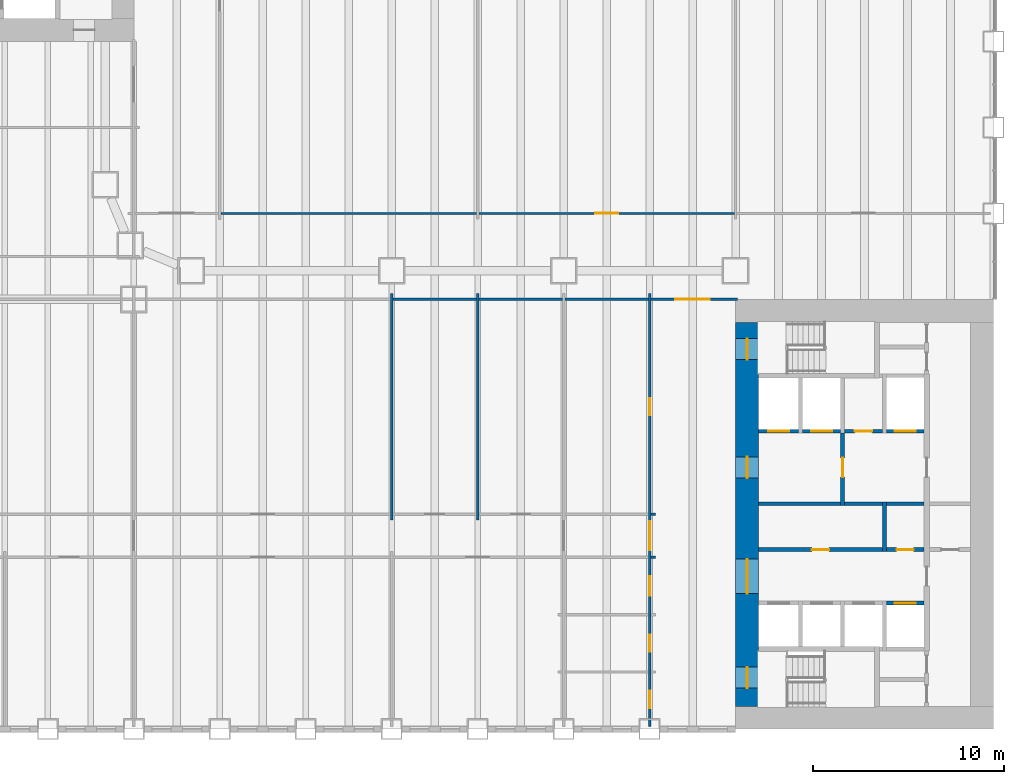
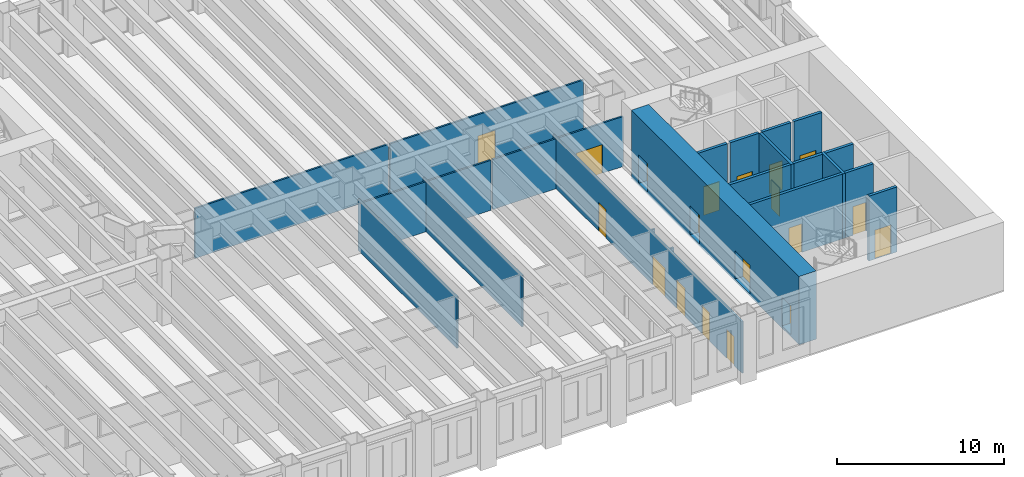
# One storey, part 12 of 19: 24 walls, 19 doors, 19 openings.
"""IFC4 building model written with IfcOpenShell, lengths in metres."""

from ifc_helpers import new_model, si_unit, direction, frame, frame_2d, origin, place, context, subcontext, project, spatial, rectangle, extrude, material, layer, layer_set, type_object, element, fill, save


model = new_model("IFC4")

# Units and contexts
model_context = context("Model", 3, precision=1e-05, world=origin(), true_north=direction((0.0, 1.0)))
body_context = subcontext(model_context, "Body", "Model", "MODEL_VIEW")
ifc_project = project(units=[si_unit("LENGTHUNIT", "METRE"), si_unit("AREAUNIT", "SQUARE_METRE"), si_unit("VOLUMEUNIT", "CUBIC_METRE"), si_unit("PLANEANGLEUNIT", "RADIAN"), si_unit("MASSUNIT", "GRAM", prefix="KILO")], contexts=[model_context])

# Site, building, storey
site_placement = place(None, origin())
site = spatial("IfcSite", under=ifc_project, at=site_placement, CompositionType="ELEMENT")
building_placement = place(site_placement, origin())
building = spatial("IfcBuilding", under=site, at=building_placement, Name="Sennacour Bend Tower", CompositionType="ELEMENT")
storey_placement = place(building_placement, frame((0.0, 0.0, 19.0)))
storey = spatial("IfcBuildingStorey", under=building, at=storey_placement, Name="L03", CompositionType="ELEMENT", Elevation=19.0)

# Wall, openings, doors
ifc_material_1 = material(Name="Concrete C80/95", Category="concrete")
ifc_layer_1 = layer(ifc_material_1, 1.199951171875, Name="Concrete C80/95", Category="concrete")
ifc_layer_set_1 = layer_set([ifc_layer_1], Name="Concrete C80/95")
wall_type_1 = type_object("IfcWallType", Name="Core wall 1200 C80/95", PredefinedType="SHEAR", material=ifc_layer_set_1)
wall_1_placement = place(storey_placement, frame((54.60009765625, 1.199951171875, -0.14990234375), z_axis=(0.0, 0.0, 1.0), x_axis=(0.0, 1.0, 0.0)))
wall_1 = element("IfcWall", 1, at=wall_1_placement, inside=storey, type_object=wall_type_1, Name="Core A wall L03 W", PredefinedType="SHEAR", context=body_context, shape_type="SweptSolid", body=[
    extrude(rectangle(XDim=20.10009765625, YDim=1.199951171875, at=frame_2d((10.050048828125, 0.0))), origin(), (0.0, 0.0, 1.0), 5.0),
])
opening_1_placement = place(wall_1_placement, frame((5.89990234375, 0.0, 0.14990234375)))
opening_1 = element("IfcOpeningElement", 2, at=opening_1_placement, cuts=wall_1, Name="Opening CD", PredefinedType="OPENING", context=body_context, shape_type="SweptSolid", body=[
    extrude(rectangle(XDim=1.800048828125, YDim=2.10009765625, at=frame_2d((0.89990234375, 1.050048828125))), frame((0.0, 0.60986328125, 0.0), z_axis=(0.0, -1.0, 0.0), x_axis=(1.0, 0.0, 0.0)), (0.0, 0.0, 1.0), 1.219970703125),
])
opening_2_placement = place(wall_1_placement, frame((11.949951171875, 0.0, 0.14990234375)))
opening_2 = element("IfcOpeningElement", 3, at=opening_2_placement, cuts=wall_1, Name="Opening FD", PredefinedType="OPENING", context=body_context, shape_type="SweptSolid", body=[
    extrude(rectangle(XDim=1.10009765625, YDim=2.10009765625, at=frame_2d((0.550048828125, 1.050048828125))), frame((0.0, 0.60986328125, 0.0), z_axis=(0.0, -1.0, 0.0), x_axis=(1.0, 0.0, 0.0)), (0.0, 0.0, 1.0), 1.219970703125),
])
opening_3_placement = place(wall_1_placement, frame((0.949951171875, 0.0, 0.14990234375)))
opening_3 = element("IfcOpeningElement", 4, at=opening_3_placement, cuts=wall_1, Name="Opening SD", PredefinedType="OPENING", context=body_context, shape_type="SweptSolid", body=[
    extrude(rectangle(XDim=1.10009765625, YDim=2.10009765625, at=frame_2d((0.550048828125, 1.050048828125))), frame((0.0, 0.60986328125, 0.0), z_axis=(0.0, -1.0, 0.0), x_axis=(1.0, 0.0, 0.0)), (0.0, 0.0, 1.0), 1.219970703125),
])
opening_4_placement = place(wall_1_placement, frame((18.14990234375, 0.0, 0.14990234375)))
opening_4 = element("IfcOpeningElement", 5, at=opening_4_placement, cuts=wall_1, Name="Opening SD", PredefinedType="OPENING", context=body_context, shape_type="SweptSolid", body=[
    extrude(rectangle(XDim=1.10009765625, YDim=2.10009765625, at=frame_2d((0.550048828125, 1.050048828125))), frame((0.0, 0.60986328125, 0.0), z_axis=(0.0, -1.0, 0.0), x_axis=(1.0, 0.0, 0.0)), (0.0, 0.0, 1.0), 1.219970703125),
])
ifc_material_2 = material(Name="Painted steel", Category="steel")
door_type_1 = type_object("IfcDoorType", Name="DR-FFL-1100", OperationType="NOTDEFINED", PredefinedType="DOOR", material=ifc_material_2)
door_1_placement = place(opening_2_placement, origin())
door_1 = element("IfcDoor", 6, at=door_1_placement, inside=storey, type_object=door_type_1, Name="Door", OperationType="SINGLE_SWING_RIGHT", OverallHeight=2.10009765625, OverallWidth=1.10009765625, PredefinedType="DOOR", context=body_context, shape_type="SweptSolid", body=[
    extrude(rectangle(XDim=1.10009765625, YDim=2.10009765625, at=frame_2d((0.550048828125, 1.050048828125))), frame((0.0, 0.02490234375, 0.0), z_axis=(0.0, -1.0, 0.0), x_axis=(1.0, 0.0, 0.0)), (0.0, 0.0, 1.0), 0.050048828125),
])
fill(opening_2, door_1)
door_type_2 = type_object("IfcDoorType", Name="DR-LOBBY-1800", OperationType="NOTDEFINED", PredefinedType="DOOR", material=ifc_material_2)
door_2_placement = place(opening_1_placement, origin())
door_2 = element("IfcDoor", 7, at=door_2_placement, inside=storey, type_object=door_type_2, Name="Door", OperationType="DOUBLE_DOOR_SINGLE_SWING", OverallHeight=2.10009765625, OverallWidth=1.800048828125, PredefinedType="DOOR", context=body_context, shape_type="SweptSolid", body=[
    extrude(rectangle(XDim=1.800048828125, YDim=2.10009765625, at=frame_2d((0.89990234375, 1.050048828125))), frame((0.0, 0.02490234375, 0.0), z_axis=(0.0, -1.0, 0.0), x_axis=(1.0, 0.0, 0.0)), (0.0, 0.0, 1.0), 0.050048828125),
])
fill(opening_1, door_2)
door_type_3 = type_object("IfcDoorType", Name="DR-STAIR-1100", OperationType="NOTDEFINED", PredefinedType="DOOR", material=ifc_material_2)
door_3_placement = place(opening_3_placement, origin())
door_3 = element("IfcDoor", 8, at=door_3_placement, inside=storey, type_object=door_type_3, Name="Door", OperationType="SINGLE_SWING_LEFT", OverallHeight=2.10009765625, OverallWidth=1.10009765625, PredefinedType="DOOR", context=body_context, shape_type="SweptSolid", body=[
    extrude(rectangle(XDim=1.10009765625, YDim=2.10009765625, at=frame_2d((0.550048828125, 1.050048828125))), frame((0.0, 0.02490234375, 0.0), z_axis=(0.0, -1.0, 0.0), x_axis=(1.0, 0.0, 0.0)), (0.0, 0.0, 1.0), 0.050048828125),
])
fill(opening_3, door_3)
door_4_placement = place(opening_4_placement, origin())
door_4 = element("IfcDoor", 9, at=door_4_placement, inside=storey, type_object=door_type_3, Name="Door", OperationType="SINGLE_SWING_RIGHT", OverallHeight=2.10009765625, OverallWidth=1.10009765625, PredefinedType="DOOR", context=body_context, shape_type="SweptSolid", body=[
    extrude(rectangle(XDim=1.10009765625, YDim=2.10009765625, at=frame_2d((0.550048828125, 1.050048828125))), frame((0.0, 0.02490234375, 0.0), z_axis=(0.0, -1.0, 0.0), x_axis=(1.0, 0.0, 0.0)), (0.0, 0.0, 1.0), 0.050048828125),
])
fill(opening_4, door_4)

# Walls
ifc_material_3 = material(Name="Plasterboard partition on steel studs", Category="steel")
ifc_layer_2 = layer(ifc_material_3, 0.1201171875, Name="Plasterboard partition on steel studs", Category="steel")
ifc_layer_set_2 = layer_set([ifc_layer_2], Name="Plasterboard partition on steel studs")
wall_type_2 = type_object("IfcWallType", Name="Partition 120", PredefinedType="PARTITIONING", material=ifc_layer_set_2)
for number, where, z_axis, x_axis, name in (
    (10, (36.0, 10.949951171875, 0.0), (0.0, 0.0, 1.0), (0.0, 1.0, 0.0), "P-L03-W025a"),
    (11, (40.5, 10.949951171875, 0.0), (0.0, 0.0, 1.0), (0.0, 1.0, 0.0), "P-L03-W026a"),
):
    element("IfcWall", number, at=place(storey_placement, frame(where, z_axis=z_axis, x_axis=x_axis)), inside=storey, type_object=wall_type_2, Name=name, PredefinedType="PARTITIONING", context=body_context, shape_type="SweptSolid", body=[
        extrude(rectangle(XDim=11.85009765625, YDim=0.1201171875, at=frame_2d((5.925048828125, 0.0))), origin(), (0.0, 0.0, 1.0), 3.7587890625),
    ])
for number, where, z_axis, x_axis, name in (
    (12, (49.56005859375, 9.0, 0.0), (0.0, 0.0, 1.0), (1.0, 0.0, 0.0), "P-L03-W055ag"),
    (13, (49.56005859375, 11.25, 0.0), (0.0, 0.0, 1.0), (1.0, 0.0, 0.0), "P-L03-W057ah"),
):
    element("IfcWall", number, at=place(storey_placement, frame(where, z_axis=z_axis, x_axis=x_axis)), inside=storey, type_object=wall_type_2, Name=name, PredefinedType="PARTITIONING", context=body_context, shape_type="SweptSolid", body=[
        extrude(rectangle(XDim=0.239990234375, YDim=0.1201171875, at=frame_2d((0.1201171875, 0.0))), origin(), (0.0, 0.0, 1.0), 3.7587890625),
    ])
for number, where, z_axis, x_axis, name in (
    (14, (36.06005859375, 22.5, 0.0), (0.0, 0.0, 1.0), (1.0, 0.0, 0.0), "P-L03-W066ae"),
    (15, (40.56005859375, 22.5, 0.0), (0.0, 0.0, 1.0), (1.0, 0.0, 0.0), "P-L03-W066af"),
    (16, (45.06005859375, 22.5, 0.0), (0.0, 0.0, 1.0), (1.0, 0.0, 0.0), "P-L03-W066ag"),
):
    element("IfcWall", number, at=place(storey_placement, frame(where, z_axis=z_axis, x_axis=x_axis)), inside=storey, type_object=wall_type_2, Name=name, PredefinedType="PARTITIONING", context=body_context, shape_type="SweptSolid", body=[
        extrude(rectangle(XDim=4.3798828125, YDim=0.1201171875, at=frame_2d((2.18994140625, 0.0))), origin(), (0.0, 0.0, 1.0), 3.66015625),
    ])
wall_2_placement = place(storey_placement, frame((27.06005859375, 27.0, 0.0), z_axis=(0.0, 0.0, 1.0), x_axis=(1.0, 0.0, 0.0)))
element("IfcWall", 17, at=wall_2_placement, inside=storey, type_object=wall_type_2, Name="P-L03-W068ac", PredefinedType="PARTITIONING", context=body_context, shape_type="SweptSolid", body=[
    extrude(rectangle(XDim=13.3798828125, YDim=0.1201171875, at=frame_2d((6.68994140625, 0.0))), origin(), (0.0, 0.0, 1.0), 3.66015625),
])

# Wall, opening, door
wall_3_placement = place(storey_placement, frame((40.56005859375, 27.0, 0.0), z_axis=(0.0, 0.0, 1.0), x_axis=(1.0, 0.0, 0.0)))
wall_3 = element("IfcWall", 18, at=wall_3_placement, inside=storey, type_object=wall_type_2, Name="P-L03-W068ad", PredefinedType="PARTITIONING", context=body_context, shape_type="SweptSolid", body=[
    extrude(rectangle(XDim=13.3798828125, YDim=0.1201171875, at=frame_2d((6.68994140625, 0.0))), origin(), (0.0, 0.0, 1.0), 3.66015625),
])
opening_5_placement = place(wall_3_placement, frame((6.08984375, 0.0, 0.0)))
opening_5 = element("IfcOpeningElement", 19, at=opening_5_placement, cuts=wall_3, Name="Opening OD", PredefinedType="OPENING", context=body_context, shape_type="SweptSolid", body=[
    extrude(rectangle(XDim=1.199951171875, YDim=2.10009765625, at=frame_2d((0.60009765625, 1.050048828125))), frame((0.0, 0.070068359375, 0.0), z_axis=(0.0, -1.0, 0.0), x_axis=(1.0, 0.0, 0.0)), (0.0, 0.0, 1.0), 0.14013671875),
])
ifc_material_4 = material(Name="Timber", Category="wood")
door_type_4 = type_object("IfcDoorType", Name="DR-OFFICE-1200", OperationType="NOTDEFINED", PredefinedType="DOOR", material=ifc_material_4)
door_5_placement = place(opening_5_placement, origin())
door_5 = element("IfcDoor", 20, at=door_5_placement, inside=storey, type_object=door_type_4, Name="Door", OperationType="SINGLE_SWING_LEFT", OverallHeight=2.10009765625, OverallWidth=1.199951171875, PredefinedType="DOOR", context=body_context, shape_type="SweptSolid", body=[
    extrude(rectangle(XDim=1.199951171875, YDim=2.10009765625, at=frame_2d((0.60009765625, 1.050048828125))), frame((0.0, 0.02490234375, 0.0), z_axis=(0.0, -1.0, 0.0), x_axis=(1.0, 0.0, 0.0)), (0.0, 0.0, 1.0), 0.050048828125),
])
fill(opening_5, door_5)

ifc_layer_3 = layer(ifc_material_3, 0.1201171875, Name="Plasterboard partition on steel studs", Category="steel")
ifc_layer_set_3 = layer_set([ifc_layer_3], Name="Plasterboard partition on steel studs")
wall_type_3 = type_object("IfcWallType", Name="Partition 120 EI 30", PredefinedType="PARTITIONING", material=ifc_layer_set_3)
wall_4_placement = place(storey_placement, frame((49.56005859375, 22.5, 0.0), z_axis=(0.0, 0.0, 1.0), x_axis=(1.0, 0.0, 0.0)))
wall_4 = element("IfcWall", 21, at=wall_4_placement, inside=storey, type_object=wall_type_3, Name="P-L03-W066ah", PredefinedType="PARTITIONING", context=body_context, shape_type="SweptSolid", body=[
    extrude(rectangle(XDim=4.5400390625, YDim=0.1201171875, at=frame_2d((2.27001953125, 0.0))), origin(), (0.0, 0.0, 1.0), 3.66015625),
])
opening_6_placement = place(wall_4_placement, frame((1.289794921875, 0.0, 0.0)))
opening_6 = element("IfcOpeningElement", 22, at=opening_6_placement, cuts=wall_4, Name="Opening KD3", PredefinedType="OPENING", context=body_context, shape_type="SweptSolid", body=[
    extrude(rectangle(XDim=1.800048828125, YDim=2.10009765625, at=frame_2d((0.89990234375, 1.050048828125))), frame((0.0, 0.070068359375, 0.0), z_axis=(0.0, -1.0, 0.0), x_axis=(1.0, 0.0, 0.0)), (0.0, 0.0, 1.0), 0.14013671875),
])
door_type_5 = type_object("IfcDoorType", Name="DR-CORRIDOR-1800", OperationType="NOTDEFINED", PredefinedType="DOOR", material=ifc_material_2)
door_6_placement = place(opening_6_placement, origin())
door_6 = element("IfcDoor", 23, at=door_6_placement, inside=storey, type_object=door_type_5, Name="Door", OperationType="DOUBLE_DOOR_SINGLE_SWING", OverallHeight=2.10009765625, OverallWidth=1.800048828125, PredefinedType="DOOR", context=body_context, shape_type="SweptSolid", body=[
    extrude(rectangle(XDim=1.800048828125, YDim=2.10009765625, at=frame_2d((0.89990234375, 1.050048828125))), frame((0.0, 0.02490234375, 0.0), z_axis=(0.0, -1.0, 0.0), x_axis=(1.0, 0.0, 0.0)), (0.0, 0.0, 1.0), 0.050048828125),
])
fill(opening_6, door_6)

# Wall, openings, doors
ifc_layer_4 = layer(ifc_material_3, 0.1201171875, Name="Plasterboard partition on steel studs", Category="steel")
ifc_layer_set_4 = layer_set([ifc_layer_4], Name="Plasterboard partition on steel studs")
wall_type_4 = type_object("IfcWallType", Name="Partition 120 EI 60", PredefinedType="PARTITIONING", material=ifc_layer_set_4)
wall_5_placement = place(storey_placement, frame((49.5, 0.14990234375, 0.0), z_axis=(0.0, 0.0, 1.0), x_axis=(0.0, 1.0, 0.0)))
wall_5 = element("IfcWall", 24, at=wall_5_placement, inside=storey, type_object=wall_type_4, Name="P-L03-W029a", PredefinedType="PARTITIONING", context=body_context, shape_type="SweptSolid", body=[
    extrude(rectangle(XDim=22.650146484375, YDim=0.1201171875, at=frame_2d((11.3251953125, 0.0))), origin(), (0.0, 0.0, 1.0), 3.7587890625),
])
opening_7_placement = place(wall_5_placement, frame((0.955078125, 0.0, 0.0)))
opening_7 = element("IfcOpeningElement", 25, at=opening_7_placement, cuts=wall_5, Name="Opening WD", PredefinedType="OPENING", context=body_context, shape_type="SweptSolid", body=[
    extrude(rectangle(XDim=0.89990234375, YDim=2.10009765625, at=frame_2d((0.449951171875, 1.050048828125))), frame((0.0, 0.070068359375, 0.0), z_axis=(0.0, -1.0, 0.0), x_axis=(1.0, 0.0, 0.0)), (0.0, 0.0, 1.0), 0.14013671875),
])
opening_8_placement = place(wall_5_placement, frame((3.900146484375, 0.0, 0.0)))
opening_8 = element("IfcOpeningElement", 26, at=opening_8_placement, cuts=wall_5, Name="Opening WD", PredefinedType="OPENING", context=body_context, shape_type="SweptSolid", body=[
    extrude(rectangle(XDim=0.89990234375, YDim=2.10009765625, at=frame_2d((0.449951171875, 1.050048828125))), frame((0.0, 0.070068359375, 0.0), z_axis=(0.0, -1.0, 0.0), x_axis=(1.0, 0.0, 0.0)), (0.0, 0.0, 1.0), 0.14013671875),
])
opening_9_placement = place(wall_5_placement, frame((6.85009765625, 0.0, 0.0)))
opening_9 = element("IfcOpeningElement", 27, at=opening_9_placement, cuts=wall_5, Name="Opening AD", PredefinedType="OPENING", context=body_context, shape_type="SweptSolid", body=[
    extrude(rectangle(XDim=1.0, YDim=2.10009765625, at=frame_2d((0.5, 1.050048828125))), frame((0.0, 0.070068359375, 0.0), z_axis=(0.0, -1.0, 0.0), x_axis=(1.0, 0.0, 0.0)), (0.0, 0.0, 1.0), 0.14013671875),
])
opening_10_placement = place(wall_5_placement, frame((16.275146484375, 0.0, 0.0)))
opening_10 = element("IfcOpeningElement", 28, at=opening_10_placement, cuts=wall_5, Name="Opening SV", PredefinedType="OPENING", context=body_context, shape_type="SweptSolid", body=[
    extrude(rectangle(XDim=0.89990234375, YDim=2.10009765625, at=frame_2d((0.449951171875, 1.050048828125))), frame((0.0, 0.070068359375, 0.0), z_axis=(0.0, -1.0, 0.0), x_axis=(1.0, 0.0, 0.0)), (0.0, 0.0, 1.0), 0.14013671875),
])
opening_11_placement = place(wall_5_placement, frame((9.22509765625, 0.0, 0.0)))
opening_11 = element("IfcOpeningElement", 29, at=opening_11_placement, cuts=wall_5, Name="Opening KD", PredefinedType="OPENING", context=body_context, shape_type="SweptSolid", body=[
    extrude(rectangle(XDim=1.5, YDim=2.10009765625, at=frame_2d((0.75, 1.050048828125))), frame((0.0, 0.070068359375, 0.0), z_axis=(0.0, -1.0, 0.0), x_axis=(1.0, 0.0, 0.0)), (0.0, 0.0, 1.0), 0.14013671875),
])
door_type_6 = type_object("IfcDoorType", Name="DR-ACC-WC-1000", OperationType="NOTDEFINED", PredefinedType="DOOR", material=ifc_material_4)
door_7_placement = place(opening_9_placement, origin())
door_7 = element("IfcDoor", 30, at=door_7_placement, inside=storey, type_object=door_type_6, Name="Door", OperationType="SINGLE_SWING_LEFT", OverallHeight=2.10009765625, OverallWidth=1.0, PredefinedType="DOOR", context=body_context, shape_type="SweptSolid", body=[
    extrude(rectangle(XDim=1.0, YDim=2.10009765625, at=frame_2d((0.5, 1.050048828125))), frame((0.0, 0.02490234375, 0.0), z_axis=(0.0, -1.0, 0.0), x_axis=(1.0, 0.0, 0.0)), (0.0, 0.0, 1.0), 0.050048828125),
])
fill(opening_9, door_7)
door_type_7 = type_object("IfcDoorType", Name="DR-CORRIDOR-1500", OperationType="NOTDEFINED", PredefinedType="DOOR", material=ifc_material_2)
door_8_placement = place(opening_11_placement, origin())
door_8 = element("IfcDoor", 31, at=door_8_placement, inside=storey, type_object=door_type_7, Name="Door", OperationType="SINGLE_SWING_LEFT", OverallHeight=2.10009765625, OverallWidth=1.5, PredefinedType="DOOR", context=body_context, shape_type="SweptSolid", body=[
    extrude(rectangle(XDim=1.5, YDim=2.10009765625, at=frame_2d((0.75, 1.050048828125))), frame((0.0, 0.02490234375, 0.0), z_axis=(0.0, -1.0, 0.0), x_axis=(1.0, 0.0, 0.0)), (0.0, 0.0, 1.0), 0.050048828125),
])
fill(opening_11, door_8)
door_type_8 = type_object("IfcDoorType", Name="DR-SERVICE-900", OperationType="NOTDEFINED", PredefinedType="DOOR", material=ifc_material_2)
door_9_placement = place(opening_10_placement, origin())
door_9 = element("IfcDoor", 32, at=door_9_placement, inside=storey, type_object=door_type_8, Name="Door", OperationType="SINGLE_SWING_RIGHT", OverallHeight=2.10009765625, OverallWidth=0.89990234375, PredefinedType="DOOR", context=body_context, shape_type="SweptSolid", body=[
    extrude(rectangle(XDim=0.89990234375, YDim=2.10009765625, at=frame_2d((0.449951171875, 1.050048828125))), frame((0.0, 0.02490234375, 0.0), z_axis=(0.0, -1.0, 0.0), x_axis=(1.0, 0.0, 0.0)), (0.0, 0.0, 1.0), 0.050048828125),
])
fill(opening_10, door_9)
door_type_9 = type_object("IfcDoorType", Name="DR-WC-900", OperationType="NOTDEFINED", PredefinedType="DOOR", material=ifc_material_4)
door_10_placement = place(opening_7_placement, origin())
door_10 = element("IfcDoor", 33, at=door_10_placement, inside=storey, type_object=door_type_9, Name="Door", OperationType="SINGLE_SWING_LEFT", OverallHeight=2.10009765625, OverallWidth=0.89990234375, PredefinedType="DOOR", context=body_context, shape_type="SweptSolid", body=[
    extrude(rectangle(XDim=0.89990234375, YDim=2.10009765625, at=frame_2d((0.449951171875, 1.050048828125))), frame((0.0, 0.02490234375, 0.0), z_axis=(0.0, -1.0, 0.0), x_axis=(1.0, 0.0, 0.0)), (0.0, 0.0, 1.0), 0.050048828125),
])
fill(opening_7, door_10)
door_11_placement = place(opening_8_placement, origin())
door_11 = element("IfcDoor", 34, at=door_11_placement, inside=storey, type_object=door_type_9, Name="Door", OperationType="SINGLE_SWING_LEFT", OverallHeight=2.10009765625, OverallWidth=0.89990234375, PredefinedType="DOOR", context=body_context, shape_type="SweptSolid", body=[
    extrude(rectangle(XDim=0.89990234375, YDim=2.10009765625, at=frame_2d((0.449951171875, 1.050048828125))), frame((0.0, 0.02490234375, 0.0), z_axis=(0.0, -1.0, 0.0), x_axis=(1.0, 0.0, 0.0)), (0.0, 0.0, 1.0), 0.050048828125),
])
fill(opening_8, door_11)

# Wall
ifc_material_5 = material(Name="Fire-rated plasterboard partition on steel studs", Category="steel")
ifc_layer_5 = layer(ifc_material_5, 0.199951171875, Name="Fire-rated plasterboard partition on steel studs", Category="steel")
ifc_layer_set_5 = layer_set([ifc_layer_5], Name="Fire-rated plasterboard partition on steel studs")
wall_type_5 = type_object("IfcWallType", Name="Rated partition 200", PredefinedType="PARTITIONING", material=ifc_layer_set_5)
wall_6_placement = place(storey_placement, frame((61.800048828125, 9.300048828125, 0.0), z_axis=(0.0, 0.0, 1.0), x_axis=(0.0, 1.0, 0.0)))
element("IfcWall", 35, at=wall_6_placement, inside=storey, type_object=wall_type_5, Name="P-L03-W039", PredefinedType="PARTITIONING", context=body_context, shape_type="SweptSolid", body=[
    extrude(rectangle(XDim=2.599853515625, YDim=0.199951171875, at=frame_2d((1.2998046875, 0.0))), origin(), (0.0, 0.0, 1.0), 4.75),
])

# Wall, opening, door
wall_7_placement = place(storey_placement, frame((55.199951171875, 9.39990234375, 0.0), z_axis=(0.0, 0.0, 1.0), x_axis=(1.0, 0.0, 0.0)))
wall_7 = element("IfcWall", 36, at=wall_7_placement, inside=storey, type_object=wall_type_5, Name="P-L03-W056a", PredefinedType="PARTITIONING", context=body_context, shape_type="SweptSolid", body=[
    extrude(rectangle(XDim=6.5, YDim=0.199951171875, at=frame_2d((3.25, 0.0))), origin(), (0.0, 0.0, 1.0), 4.75),
])
opening_12_placement = place(wall_7_placement, frame((2.800048828125, 0.0, 0.0)))
opening_12 = element("IfcOpeningElement", 37, at=opening_12_placement, cuts=wall_7, Name="Opening SV", PredefinedType="OPENING", context=body_context, shape_type="SweptSolid", body=[
    extrude(rectangle(XDim=0.89990234375, YDim=2.10009765625, at=frame_2d((0.449951171875, 1.050048828125))), frame((0.0, 0.10986328125, 0.0), z_axis=(0.0, -1.0, 0.0), x_axis=(1.0, 0.0, 0.0)), (0.0, 0.0, 1.0), 0.219970703125),
])
door_12_placement = place(opening_12_placement, origin())
door_12 = element("IfcDoor", 38, at=door_12_placement, inside=storey, type_object=door_type_8, Name="Door", OperationType="SINGLE_SWING_LEFT", OverallHeight=2.10009765625, OverallWidth=0.89990234375, PredefinedType="DOOR", context=body_context, shape_type="SweptSolid", body=[
    extrude(rectangle(XDim=0.89990234375, YDim=2.10009765625, at=frame_2d((0.449951171875, 1.050048828125))), frame((0.0, 0.02490234375, 0.0), z_axis=(0.0, -1.0, 0.0), x_axis=(1.0, 0.0, 0.0)), (0.0, 0.0, 1.0), 0.050048828125),
])
fill(opening_12, door_12)

wall_8_placement = place(storey_placement, frame((61.89990234375, 9.39990234375, 0.0), z_axis=(0.0, 0.0, 1.0), x_axis=(1.0, 0.0, 0.0)))
wall_8 = element("IfcWall", 39, at=wall_8_placement, inside=storey, type_object=wall_type_5, Name="P-L03-W056b", PredefinedType="PARTITIONING", context=body_context, shape_type="SweptSolid", body=[
    extrude(rectangle(XDim=1.9501953125, YDim=0.199951171875, at=frame_2d((0.97509765625, 0.0))), origin(), (0.0, 0.0, 1.0), 4.75),
])
opening_13_placement = place(wall_8_placement, frame((0.525146484375, 0.0, 0.0)))
opening_13 = element("IfcOpeningElement", 40, at=opening_13_placement, cuts=wall_8, Name="Opening SV", PredefinedType="OPENING", context=body_context, shape_type="SweptSolid", body=[
    extrude(rectangle(XDim=0.89990234375, YDim=2.10009765625, at=frame_2d((0.449951171875, 1.050048828125))), frame((0.0, 0.10986328125, 0.0), z_axis=(0.0, -1.0, 0.0), x_axis=(1.0, 0.0, 0.0)), (0.0, 0.0, 1.0), 0.219970703125),
])
door_13_placement = place(opening_13_placement, origin())
door_13 = element("IfcDoor", 41, at=door_13_placement, inside=storey, type_object=door_type_8, Name="Door", OperationType="SINGLE_SWING_LEFT", OverallHeight=2.10009765625, OverallWidth=0.89990234375, PredefinedType="DOOR", context=body_context, shape_type="SweptSolid", body=[
    extrude(rectangle(XDim=0.89990234375, YDim=2.10009765625, at=frame_2d((0.449951171875, 1.050048828125))), frame((0.0, 0.02490234375, 0.0), z_axis=(0.0, -1.0, 0.0), x_axis=(1.0, 0.0, 0.0)), (0.0, 0.0, 1.0), 0.050048828125),
])
fill(opening_13, door_13)

# Walls
wall_9_placement = place(storey_placement, frame((55.199951171875, 11.800048828125, 0.0), z_axis=(0.0, 0.0, 1.0), x_axis=(1.0, 0.0, 0.0)))
element("IfcWall", 42, at=wall_9_placement, inside=storey, type_object=wall_type_5, Name="P-L03-W058a", PredefinedType="PARTITIONING", context=body_context, shape_type="SweptSolid", body=[
    extrude(rectangle(XDim=4.300048828125, YDim=0.199951171875, at=frame_2d((2.14990234375, 0.0))), origin(), (0.0, 0.0, 1.0), 4.75),
])
wall_10_placement = place(storey_placement, frame((59.699951171875, 11.800048828125, 0.0), z_axis=(0.0, 0.0, 1.0), x_axis=(1.0, 0.0, 0.0)))
element("IfcWall", 43, at=wall_10_placement, inside=storey, type_object=wall_type_5, Name="P-L03-W058b", PredefinedType="PARTITIONING", context=body_context, shape_type="SweptSolid", body=[
    extrude(rectangle(XDim=2.0, YDim=0.199951171875, at=frame_2d((1.0, 0.0))), origin(), (0.0, 0.0, 1.0), 4.75),
])
wall_11_placement = place(storey_placement, frame((61.89990234375, 11.800048828125, 0.0), z_axis=(0.0, 0.0, 1.0), x_axis=(1.0, 0.0, 0.0)))
element("IfcWall", 44, at=wall_11_placement, inside=storey, type_object=wall_type_5, Name="P-L03-W058c", PredefinedType="PARTITIONING", context=body_context, shape_type="SweptSolid", body=[
    extrude(rectangle(XDim=1.9501953125, YDim=0.199951171875, at=frame_2d((0.97509765625, 0.0))), origin(), (0.0, 0.0, 1.0), 4.75),
])

# Wall, opening, door
wall_12_placement = place(storey_placement, frame((59.699951171875, 15.60009765625, 0.0), z_axis=(0.0, 0.0, 1.0), x_axis=(1.0, 0.0, 0.0)))
wall_12 = element("IfcWall", 45, at=wall_12_placement, inside=storey, type_object=wall_type_5, Name="P-L03-W060", PredefinedType="PARTITIONING", context=body_context, shape_type="SweptSolid", body=[
    extrude(rectangle(XDim=2.0, YDim=0.199951171875, at=frame_2d((1.0, 0.0))), origin(), (0.0, 0.0, 1.0), 4.75),
])
opening_14_placement = place(wall_12_placement, frame((0.550048828125, 0.0, 0.0)))
opening_14 = element("IfcOpeningElement", 46, at=opening_14_placement, cuts=wall_12, Name="Opening SV", PredefinedType="OPENING", context=body_context, shape_type="SweptSolid", body=[
    extrude(rectangle(XDim=0.89990234375, YDim=2.10009765625, at=frame_2d((0.449951171875, 1.050048828125))), frame((0.0, 0.10986328125, 0.0), z_axis=(0.0, -1.0, 0.0), x_axis=(1.0, 0.0, 0.0)), (0.0, 0.0, 1.0), 0.219970703125),
])
door_14_placement = place(opening_14_placement, origin())
door_14 = element("IfcDoor", 47, at=door_14_placement, inside=storey, type_object=door_type_8, Name="Door", OperationType="SINGLE_SWING_RIGHT", OverallHeight=2.10009765625, OverallWidth=0.89990234375, PredefinedType="DOOR", context=body_context, shape_type="SweptSolid", body=[
    extrude(rectangle(XDim=0.89990234375, YDim=2.10009765625, at=frame_2d((0.449951171875, 1.050048828125))), frame((0.0, 0.02490234375, 0.0), z_axis=(0.0, -1.0, 0.0), x_axis=(1.0, 0.0, 0.0)), (0.0, 0.0, 1.0), 0.050048828125),
])
fill(opening_14, door_14)

ifc_layer_6 = layer(ifc_material_5, 0.199951171875, Name="Fire-rated plasterboard partition on steel studs", Category="steel")
ifc_layer_set_6 = layer_set([ifc_layer_6], Name="Fire-rated plasterboard partition on steel studs")
wall_type_6 = type_object("IfcWallType", Name="Rated partition 200 EI 90", PredefinedType="PARTITIONING", material=ifc_layer_set_6)
wall_13_placement = place(storey_placement, frame((59.60009765625, 11.699951171875, 0.0), z_axis=(0.0, 0.0, 1.0), x_axis=(0.0, 1.0, 0.0)))
wall_13 = element("IfcWall", 48, at=wall_13_placement, inside=storey, type_object=wall_type_6, Name="P-L03-W034", PredefinedType="PARTITIONING", context=body_context, shape_type="SweptSolid", body=[
    extrude(rectangle(XDim=3.800048828125, YDim=0.199951171875, at=frame_2d((1.89990234375, 0.0))), origin(), (0.0, 0.0, 1.0), 4.75),
])
opening_15_placement = place(wall_13_placement, frame((1.5, 0.0, 0.0)))
opening_15 = element("IfcOpeningElement", 49, at=opening_15_placement, cuts=wall_13, Name="Opening FD2", PredefinedType="OPENING", context=body_context, shape_type="SweptSolid", body=[
    extrude(rectangle(XDim=1.0, YDim=2.10009765625, at=frame_2d((0.5, 1.050048828125))), frame((0.0, 0.10986328125, 0.0), z_axis=(0.0, -1.0, 0.0), x_axis=(1.0, 0.0, 0.0)), (0.0, 0.0, 1.0), 0.219970703125),
])
door_type_10 = type_object("IfcDoorType", Name="DR-FFL-1000", OperationType="NOTDEFINED", PredefinedType="DOOR", material=ifc_material_2)
door_15_placement = place(opening_15_placement, origin())
door_15 = element("IfcDoor", 50, at=door_15_placement, inside=storey, type_object=door_type_10, Name="Door", OperationType="SINGLE_SWING_RIGHT", OverallHeight=2.10009765625, OverallWidth=1.0, PredefinedType="DOOR", context=body_context, shape_type="SweptSolid", body=[
    extrude(rectangle(XDim=1.0, YDim=2.10009765625, at=frame_2d((0.5, 1.050048828125))), frame((0.0, 0.02490234375, 0.0), z_axis=(0.0, -1.0, 0.0), x_axis=(1.0, 0.0, 0.0)), (0.0, 0.0, 1.0), 0.050048828125),
])
fill(opening_15, door_15)

ifc_material_6 = material(Name="Concrete C50/60", Category="concrete")
ifc_layer_7 = layer(ifc_material_6, 0.199951171875, Name="Concrete C50/60", Category="concrete")
ifc_layer_set_7 = layer_set([ifc_layer_7], Name="Concrete C50/60")
wall_type_7 = type_object("IfcWallType", Name="Shaft wall 200", PredefinedType="SOLIDWALL", material=ifc_layer_set_7)
wall_14_placement = place(storey_placement, frame((61.89990234375, 6.60009765625, 0.0), z_axis=(0.0, 0.0, 1.0), x_axis=(1.0, 0.0, 0.0)))
wall_14 = element("IfcWall", 51, at=wall_14_placement, inside=storey, type_object=wall_type_7, Name="P-L03-W054d", PredefinedType="SOLIDWALL", context=body_context, shape_type="SweptSolid", body=[
    extrude(rectangle(XDim=1.9501953125, YDim=0.199951171875, at=frame_2d((0.97509765625, 0.0))), origin(), (0.0, 0.0, 1.0), 4.75),
])
opening_16_placement = place(wall_14_placement, frame((0.425048828125, 0.0, 0.011962890625)))
opening_16 = element("IfcOpeningElement", 52, at=opening_16_placement, cuts=wall_14, Name="Opening LD", PredefinedType="OPENING", context=body_context, shape_type="SweptSolid", body=[
    extrude(rectangle(XDim=1.10009765625, YDim=2.10009765625, at=frame_2d((0.550048828125, 1.050048828125))), frame((0.0, 0.10986328125, 0.0), z_axis=(0.0, -1.0, 0.0), x_axis=(1.0, 0.0, 0.0)), (0.0, 0.0, 1.0), 0.219970703125),
])
ifc_material_7 = material(Name="Stainless steel", Category="steel")
door_type_11 = type_object("IfcDoorType", Name="DR-LANDING-1100", OperationType="NOTDEFINED", PredefinedType="DOOR", material=ifc_material_7)
door_16_placement = place(opening_16_placement, origin())
door_16 = element("IfcDoor", 53, at=door_16_placement, inside=storey, type_object=door_type_11, Name="Lift landing door LA4", OperationType="SLIDING_TO_RIGHT", OverallHeight=2.10009765625, OverallWidth=1.10009765625, PredefinedType="DOOR", context=body_context, shape_type="SweptSolid", body=[
    extrude(rectangle(XDim=1.10009765625, YDim=2.10009765625, at=frame_2d((0.550048828125, 1.050048828125))), frame((0.0, 0.02490234375, 0.0), z_axis=(0.0, -1.0, 0.0), x_axis=(1.0, 0.0, 0.0)), (0.0, 0.0, 1.0), 0.050048828125),
])
fill(opening_16, door_16)

wall_15_placement = place(storey_placement, frame((55.199951171875, 15.60009765625, 0.0), z_axis=(0.0, 0.0, 1.0), x_axis=(1.0, 0.0, 0.0)))
wall_15 = element("IfcWall", 54, at=wall_15_placement, inside=storey, type_object=wall_type_7, Name="P-L03-W059a", PredefinedType="SOLIDWALL", context=body_context, shape_type="SweptSolid", body=[
    extrude(rectangle(XDim=2.10009765625, YDim=0.199951171875, at=frame_2d((1.050048828125, 0.0))), origin(), (0.0, 0.0, 1.0), 4.75),
])
opening_17_placement = place(wall_15_placement, frame((0.5, 0.0, 0.011962890625)))
opening_17 = element("IfcOpeningElement", 55, at=opening_17_placement, cuts=wall_15, Name="Opening FLD", PredefinedType="OPENING", context=body_context, shape_type="SweptSolid", body=[
    extrude(rectangle(XDim=1.10009765625, YDim=2.10009765625, at=frame_2d((0.550048828125, 1.050048828125))), frame((0.0, 0.10986328125, 0.0), z_axis=(0.0, -1.0, 0.0), x_axis=(1.0, 0.0, 0.0)), (0.0, 0.0, 1.0), 0.219970703125),
])
door_type_12 = type_object("IfcDoorType", Name="DR-FF-LANDING-1100", OperationType="NOTDEFINED", PredefinedType="DOOR", material=ifc_material_7)
door_17_placement = place(opening_17_placement, origin())
door_17 = element("IfcDoor", 56, at=door_17_placement, inside=storey, type_object=door_type_12, Name="Fire service lift landing door FA1", OperationType="SLIDING_TO_LEFT", OverallHeight=2.10009765625, OverallWidth=1.10009765625, PredefinedType="DOOR", context=body_context, shape_type="SweptSolid", body=[
    extrude(rectangle(XDim=1.10009765625, YDim=2.10009765625, at=frame_2d((0.550048828125, 1.050048828125))), frame((0.0, 0.02490234375, 0.0), z_axis=(0.0, -1.0, 0.0), x_axis=(1.0, 0.0, 0.0)), (0.0, 0.0, 1.0), 0.050048828125),
])
fill(opening_17, door_17)

wall_16_placement = place(storey_placement, frame((57.5, 15.60009765625, 0.0), z_axis=(0.0, 0.0, 1.0), x_axis=(1.0, 0.0, 0.0)))
wall_16 = element("IfcWall", 57, at=wall_16_placement, inside=storey, type_object=wall_type_7, Name="P-L03-W059b", PredefinedType="SOLIDWALL", context=body_context, shape_type="SweptSolid", body=[
    extrude(rectangle(XDim=2.0, YDim=0.199951171875, at=frame_2d((1.0, 0.0))), origin(), (0.0, 0.0, 1.0), 4.75),
])
opening_18_placement = place(wall_16_placement, frame((0.449951171875, 0.0, 0.011962890625)))
opening_18 = element("IfcOpeningElement", 58, at=opening_18_placement, cuts=wall_16, Name="Opening FLD", PredefinedType="OPENING", context=body_context, shape_type="SweptSolid", body=[
    extrude(rectangle(XDim=1.10009765625, YDim=2.10009765625, at=frame_2d((0.550048828125, 1.050048828125))), frame((0.0, 0.10986328125, 0.0), z_axis=(0.0, -1.0, 0.0), x_axis=(1.0, 0.0, 0.0)), (0.0, 0.0, 1.0), 0.219970703125),
])
door_18_placement = place(opening_18_placement, origin())
door_18 = element("IfcDoor", 59, at=door_18_placement, inside=storey, type_object=door_type_12, Name="Fire service lift landing door FA2", OperationType="SLIDING_TO_RIGHT", OverallHeight=2.10009765625, OverallWidth=1.10009765625, PredefinedType="DOOR", context=body_context, shape_type="SweptSolid", body=[
    extrude(rectangle(XDim=1.10009765625, YDim=2.10009765625, at=frame_2d((0.550048828125, 1.050048828125))), frame((0.0, 0.02490234375, 0.0), z_axis=(0.0, -1.0, 0.0), x_axis=(1.0, 0.0, 0.0)), (0.0, 0.0, 1.0), 0.050048828125),
])
fill(opening_18, door_18)

wall_17_placement = place(storey_placement, frame((61.89990234375, 15.60009765625, 0.0), z_axis=(0.0, 0.0, 1.0), x_axis=(1.0, 0.0, 0.0)))
wall_17 = element("IfcWall", 60, at=wall_17_placement, inside=storey, type_object=wall_type_7, Name="P-L03-W061", PredefinedType="SOLIDWALL", context=body_context, shape_type="SweptSolid", body=[
    extrude(rectangle(XDim=1.9501953125, YDim=0.199951171875, at=frame_2d((0.97509765625, 0.0))), origin(), (0.0, 0.0, 1.0), 4.75),
])
opening_19_placement = place(wall_17_placement, frame((0.425048828125, 0.0, 0.011962890625)))
opening_19 = element("IfcOpeningElement", 61, at=opening_19_placement, cuts=wall_17, Name="Opening LD", PredefinedType="OPENING", context=body_context, shape_type="SweptSolid", body=[
    extrude(rectangle(XDim=1.10009765625, YDim=2.10009765625, at=frame_2d((0.550048828125, 1.050048828125))), frame((0.0, 0.10986328125, 0.0), z_axis=(0.0, -1.0, 0.0), x_axis=(1.0, 0.0, 0.0)), (0.0, 0.0, 1.0), 0.219970703125),
])
door_19_placement = place(opening_19_placement, origin())
door_19 = element("IfcDoor", 62, at=door_19_placement, inside=storey, type_object=door_type_11, Name="Lift landing door LA5", OperationType="SLIDING_TO_LEFT", OverallHeight=2.10009765625, OverallWidth=1.10009765625, PredefinedType="DOOR", context=body_context, shape_type="SweptSolid", body=[
    extrude(rectangle(XDim=1.10009765625, YDim=2.10009765625, at=frame_2d((0.550048828125, 1.050048828125))), frame((0.0, 0.02490234375, 0.0), z_axis=(0.0, -1.0, 0.0), x_axis=(1.0, 0.0, 0.0)), (0.0, 0.0, 1.0), 0.050048828125),
])
fill(opening_19, door_19)

save(model, "model.ifc")
